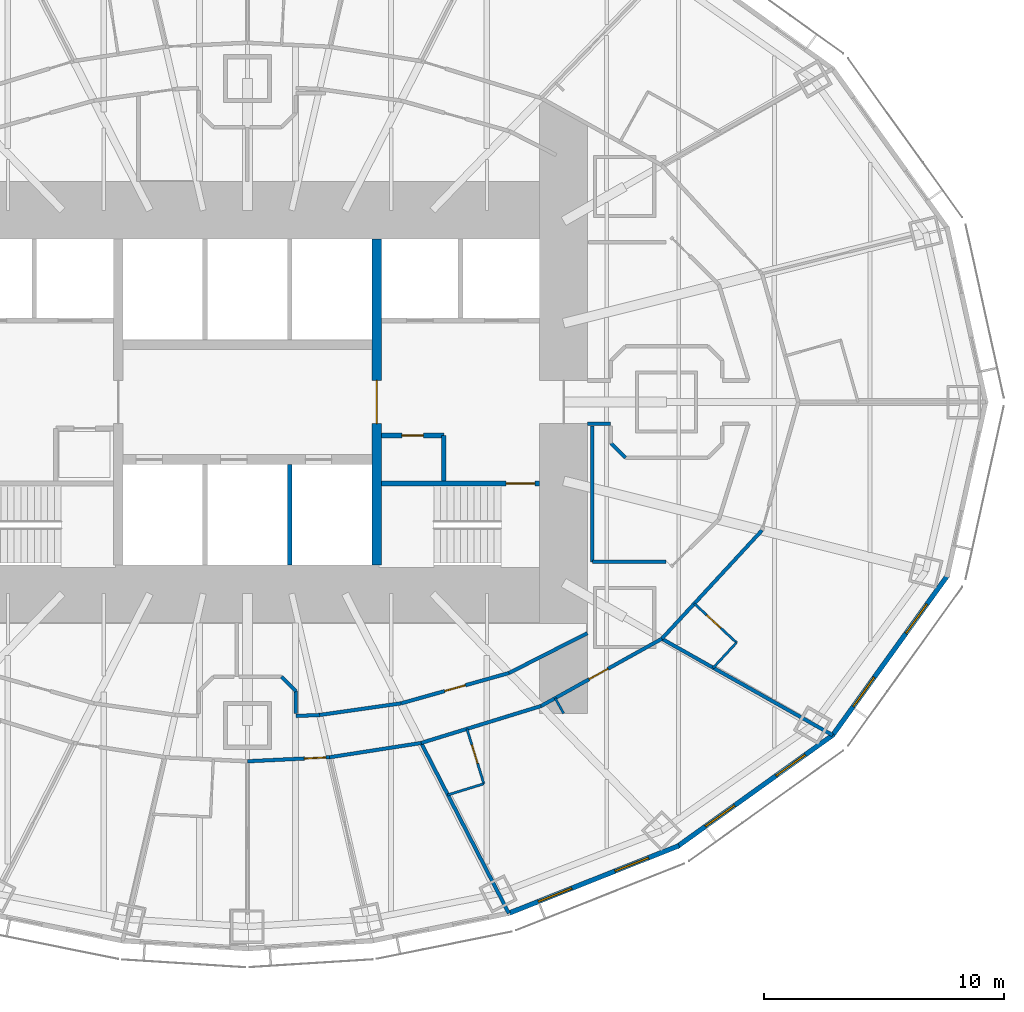
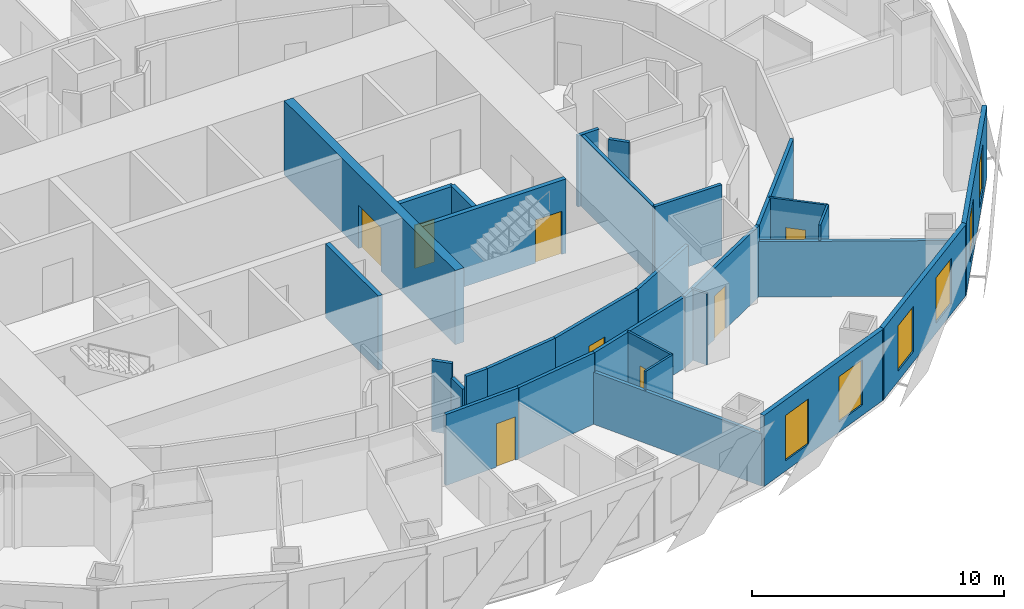
# One storey, part 7 of 15: 30 walls, 8 doors, 6 windows, 14 openings.
"""IFC4 building model written with IfcOpenShell, lengths in metres."""

import ifcopenshell
import ifcopenshell.guid

model = None  # the IFC model being written
_history = None  # IfcOwnerHistory: only IFC2X3 demands one
_inside = {}  # id of a spatial element -> (the spatial element, [elements in it])
_under = {}  # id of a project, library or spatial element -> (it, [spatial elements below it])
_declared = {}  # id of a project -> (the project, [libraries it declares])
_typed = {}  # id of a type object -> (the type object, [elements of that type])
_made_of = {}  # id of a material, layer set ... -> (it, [elements and type objects made of it])


def new_model(schema):
    """Start an empty IFC model of exactly this schema.

    Asked for "IFC4X3", IfcOpenShell would pick the latest addendum, in which some entities
    have other attributes; the version numbers below select the first issue.
    IFC2X3 requires an IfcOwnerHistory on every rooted entity: one is made here for all.
    """
    global model, _history
    if schema == "IFC4X3":
        model = ifcopenshell.file(schema_version=(4, 3, 0, 0))
    else:
        model = ifcopenshell.file(schema=schema)
    _inside.clear()
    _under.clear()
    _declared.clear()
    _typed.clear()
    _made_of.clear()
    _history = None
    if model.schema == "IFC2X3":
        org = make("IfcOrganization", Name="unknown")
        user = make(
            "IfcPersonAndOrganization",
            ThePerson=make("IfcPerson", FamilyName="unknown"),
            TheOrganization=org,
        )
        app = make(
            "IfcApplication",
            ApplicationDeveloper=org,
            Version="unknown",
            ApplicationFullName="unknown",
            ApplicationIdentifier="unknown",
        )
        _history = make(
            "IfcOwnerHistory",
            OwningUser=user,
            OwningApplication=app,
            ChangeAction="ADDED",
            CreationDate=0,
        )
    return model


def make(cls, **values):
    """One entity of the class cls with the attributes given. An attribute that is None is left unset."""
    return model.create_entity(
        cls, **{name: value for name, value in values.items() if value is not None}
    )


def rooted(cls, **values):
    """An entity with a GlobalId (a new one), such as an element, a storey or a relation."""
    return make(cls, GlobalId=ifcopenshell.guid.new(), OwnerHistory=_history, **values)


def si_unit(unit_type, name, prefix=None):
    """IfcSIUnit, for example si_unit("LENGTHUNIT", "METRE", prefix="MILLI")."""
    return make("IfcSIUnit", UnitType=unit_type, Prefix=prefix, Name=name)


def assignment(units):
    """IfcUnitAssignment: the units of a project."""
    return None if units is None else make("IfcUnitAssignment", Units=units)


def point(xyz):
    """IfcCartesianPoint."""
    return None if xyz is None else make("IfcCartesianPoint", Coordinates=xyz)


def direction(xyz):
    """IfcDirection."""
    return None if xyz is None else make("IfcDirection", DirectionRatios=xyz)


def frame(location, z_axis=None, x_axis=None):
    """IfcAxis2Placement3D, a coordinate frame: its origin and axes. An axis left out is left unset."""
    return make(
        "IfcAxis2Placement3D",
        Location=point(location),
        Axis=direction(z_axis),
        RefDirection=direction(x_axis),
    )


def frame_2d(location, x_axis=None):
    """IfcAxis2Placement2D, a coordinate frame in the plane: its origin and x axis."""
    return make(
        "IfcAxis2Placement2D", Location=point(location), RefDirection=direction(x_axis)
    )


def origin():
    """The frame at (0, 0, 0) with its axes left unset."""
    return frame((0.0, 0.0, 0.0))


def place(relative_to, where):
    """IfcLocalPlacement: puts the frame where relative to a parent placement (None: the world)."""
    return make(
        "IfcLocalPlacement", PlacementRelTo=relative_to, RelativePlacement=where
    )


def context(
    kind, dimensions, precision=None, world=None, true_north=None, identifier=None
):
    """IfcGeometricRepresentationContext, for example the 3D "Model" context."""
    return make(
        "IfcGeometricRepresentationContext",
        ContextIdentifier=identifier,
        ContextType=kind,
        CoordinateSpaceDimension=dimensions,
        Precision=precision,
        WorldCoordinateSystem=world,
        TrueNorth=true_north,
    )


def subcontext(parent, identifier, kind, view, scale=None):
    """IfcGeometricRepresentationSubContext, for example "Body" below "Model"."""
    return make(
        "IfcGeometricRepresentationSubContext",
        ContextIdentifier=identifier,
        ContextType=kind,
        ParentContext=parent,
        TargetScale=scale,
        TargetView=view,
    )


def project(units=None, contexts=None):
    """IfcProject with its units and contexts."""
    return rooted(
        "IfcProject",
        Name="project",
        RepresentationContexts=contexts,
        UnitsInContext=assignment(units),
    )


def spatial(cls, under=None, at=None, **own):
    """A site, building, storey or space (cls), placed at a placement, below another one or the project."""
    s = rooted(cls, ObjectPlacement=at, **own)
    if under is not None:
        _under.setdefault(under.id(), (under, []))[1].append(s)
    return s


def profile(cls, at=None, kind="AREA", **sizes):
    """A parametric profile (cls). Its sizes go by their IFC names, for example OverallWidth=200.0."""
    return make(cls, ProfileType=kind, Position=at, **sizes)


def rectangle(**sizes):
    """IfcRectangleProfileDef."""
    return profile("IfcRectangleProfileDef", **sizes)


def extrude(swept, where, along, depth):
    """IfcExtrudedAreaSolid: the profile swept, set in the frame where, extruded along a direction by depth."""
    return make(
        "IfcExtrudedAreaSolid",
        SweptArea=swept,
        Position=where,
        ExtrudedDirection=direction(along),
        Depth=depth,
    )


def shape(context_of_items, identifier, shape_type, items):
    """IfcShapeRepresentation: the items that make up one representation, for example the "Body"."""
    return make(
        "IfcShapeRepresentation",
        ContextOfItems=context_of_items,
        RepresentationIdentifier=identifier,
        RepresentationType=shape_type,
        Items=items,
    )


def material(Name=None, Category=None):
    """IfcMaterial."""
    return make("IfcMaterial", Name=Name, Category=Category)


def layer(
    of_material, thickness, ventilated=None, Name=None, Category=None, Priority=None
):
    """IfcMaterialLayer: one layer of a wall or slab, of a material (None: an air gap)."""
    return make(
        "IfcMaterialLayer",
        Material=of_material,
        LayerThickness=thickness,
        IsVentilated=ventilated,
        Name=Name,
        Category=Category,
        Priority=Priority,
    )


def layer_set(layers, Name=None):
    """IfcMaterialLayerSet."""
    return make("IfcMaterialLayerSet", MaterialLayers=layers, LayerSetName=Name)


def made_of(thing, what):
    """Note that an element or type object is made of a material, layer set ...; save() writes the relation."""
    if what is not None:
        _made_of.setdefault(what.id(), (what, []))[1].append(thing)
    return thing


def type_object(cls, material=None, **own):
    """A type object (cls), such as IfcWallType, which elements share."""
    return made_of(rooted(cls, **own), material)


def element(
    cls,
    number,
    at=None,
    inside=None,
    cuts=None,
    type_object=None,
    material=None,
    context=None,
    identifier="Body",
    shape_type=None,
    held_by="IfcProductDefinitionShape",
    body=None,
    shapes=None,
    **own,
):
    """One element of the class cls, such as IfcWall. Its Tag is "e" and its number.

    at: its placement. inside: the storey or other place that contains it. cuts: it is an
    opening in that element (IfcRelVoidsElement). A single representation is given by context,
    identifier, shape_type and body (its items); several are given by shapes. held_by: the class
    of the entity that holds the representations. save() writes the other relations.
    """
    e = rooted(cls, Tag="e%d" % number, ObjectPlacement=at, **own)
    if body is not None:
        shapes = [shape(context, identifier, shape_type, body)]
    if shapes is not None:
        e.Representation = make(held_by, Representations=shapes)
    if inside is not None:
        _inside.setdefault(inside.id(), (inside, []))[1].append(e)
    if cuts is not None:
        rooted(
            "IfcRelVoidsElement", RelatingBuildingElement=cuts, RelatedOpeningElement=e
        )
    if type_object is not None:
        _typed.setdefault(type_object.id(), (type_object, []))[1].append(e)
    return made_of(e, material)


def fill(opening, filler):
    """IfcRelFillsElement: the door or window that sits in an opening."""
    return rooted(
        "IfcRelFillsElement",
        RelatingOpeningElement=opening,
        RelatedBuildingElement=filler,
    )


def aggregate(whole, parts):
    """IfcRelAggregates: a whole, such as a stair, and the parts it consists of."""
    return rooted("IfcRelAggregates", RelatingObject=whole, RelatedObjects=parts)


def save(model, path):
    """Write the relations noted so far, then the file.

    IfcRelAggregates (storeys below a building ...), IfcRelContainedInSpatialStructure (elements
    in a storey), IfcRelDefinesByType, IfcRelAssociatesMaterial and IfcRelDeclares: one each for
    every whole, place, type object, material and project.
    """
    for whole, parts in _under.values():
        aggregate(whole, parts)
    for where, things in _inside.values():
        rooted(
            "IfcRelContainedInSpatialStructure",
            RelatedElements=things,
            RelatingStructure=where,
        )
    for kind, things in _typed.values():
        rooted("IfcRelDefinesByType", RelatedObjects=things, RelatingType=kind)
    for what, things in _made_of.values():
        rooted("IfcRelAssociatesMaterial", RelatedObjects=things, RelatingMaterial=what)
    for by, libraries in _declared.values():
        rooted("IfcRelDeclares", RelatingContext=by, RelatedDefinitions=libraries)
    model.write(path)


model = new_model("IFC4")

# Units and contexts
model_context = context("Model", 3, precision=1e-05, world=origin(), true_north=direction((0.0, 1.0)))
body_context = subcontext(model_context, "Body", "Model", "MODEL_VIEW")
ifc_project = project(units=[si_unit("LENGTHUNIT", "METRE"), si_unit("AREAUNIT", "SQUARE_METRE"), si_unit("VOLUMEUNIT", "CUBIC_METRE"), si_unit("PLANEANGLEUNIT", "RADIAN"), si_unit("MASSUNIT", "GRAM", prefix="KILO")], contexts=[model_context])

# Site, building, storey
site_placement = place(None, origin())
site = spatial("IfcSite", under=ifc_project, at=site_placement, CompositionType="ELEMENT")
building_placement = place(site_placement, origin())
building = spatial("IfcBuilding", under=site, at=building_placement, Name="Lantaw Convention Tower", CompositionType="ELEMENT")
storey_placement = place(building_placement, frame((0.0, 0.0, 94.60009765625)))
storey = spatial("IfcBuildingStorey", under=building, at=storey_placement, Name="L22", CompositionType="ELEMENT", Elevation=94.60009765625)

# Walls
ifc_material_1 = material(Name="Gypsum board on steel studs", Category="steel")
ifc_layer_1 = layer(ifc_material_1, 0.14990234375)
ifc_layer_set_1 = layer_set([ifc_layer_1], Name="Back of house wall 150")
wall_type_1 = type_object("IfcWallType", Name="Back of house wall 150", PredefinedType="PARTITIONING", material=ifc_layer_set_1)
wall_1_placement = place(storey_placement, frame((1.424560546875, -11.47509765625, 0.0), z_axis=(0.0, 0.0, 1.0), x_axis=(0.707106781187, -0.707106781187, 0.0)))
element("IfcWall", 1, at=wall_1_placement, inside=storey, type_object=wall_type_1, Name="Back of house wall 150", PredefinedType="PARTITIONING", context=body_context, shape_type="SweptSolid", body=[
    extrude(rectangle(XDim=0.84912109375, YDim=0.14990234375, at=frame_2d((0.424560546875, 0.0))), origin(), (0.0, 0.0, 1.0), 3.449951171875),
])
wall_2_placement = place(storey_placement, frame((2.02490234375, -12.075439453125, 0.0), z_axis=(0.0, 0.0, 1.0), x_axis=(0.0, -1.0, 0.0)))
element("IfcWall", 2, at=wall_2_placement, inside=storey, type_object=wall_type_1, Name="Back of house wall 150", PredefinedType="PARTITIONING", context=body_context, shape_type="SweptSolid", body=[
    extrude(rectangle(XDim=0.9296875, YDim=0.14990234375, at=frame_2d((0.46484375, 0.0))), origin(), (0.0, 0.0, 1.0), 2.748779296875),
])
wall_3_placement = place(storey_placement, frame((14.39990234375, -1.0048828125, 0.0), z_axis=(0.0, 0.0, 1.0), x_axis=(0.0, -1.0, 0.0)))
element("IfcWall", 3, at=wall_3_placement, inside=storey, type_object=wall_type_1, Name="Back of house wall 150", PredefinedType="PARTITIONING", context=body_context, shape_type="SweptSolid", body=[
    extrude(rectangle(XDim=5.670166015625, YDim=0.14990234375, at=frame_2d((2.8349609375, 0.0))), origin(), (0.0, 0.0, 1.0), 3.449951171875),
])
wall_4_placement = place(storey_placement, frame((14.39990234375, -6.675048828125, 0.0), z_axis=(0.0, 0.0, 1.0), x_axis=(1.0, 0.0, 0.0)))
element("IfcWall", 4, at=wall_4_placement, inside=storey, type_object=wall_type_1, Name="Back of house wall 150", PredefinedType="PARTITIONING", context=body_context, shape_type="SweptSolid", body=[
    extrude(rectangle(XDim=3.07470703125, YDim=0.14990234375, at=frame_2d((1.537353515625, 0.0))), origin(), (0.0, 0.0, 1.0), 3.449951171875),
])

# Wall, opening, door
ifc_material_2 = material(Name="Moisture resistant gypsum board on steel studs", Category="steel")
ifc_layer_2 = layer(ifc_material_2, 0.10009765625)
ifc_layer_set_2 = layer_set([ifc_layer_2], Name="Bathroom wall 100")
wall_type_2 = type_object("IfcWallType", Name="Bathroom wall 100", PredefinedType="PARTITIONING", material=ifc_layer_set_2)
wall_5_placement = place(storey_placement, frame((9.164306640625, -13.645751953125, 0.0), z_axis=(0.0, 0.0, 1.0), x_axis=(0.294507586191, -0.955649141514, 0.0)))
wall_5 = element("IfcWall", 5, at=wall_5_placement, inside=storey, type_object=wall_type_2, Name="Bathroom wall 100", PredefinedType="PARTITIONING", context=body_context, shape_type="SweptSolid", body=[
    extrude(rectangle(XDim=2.39990234375, YDim=0.10009765625, at=frame_2d((1.199951171875, 0.0))), origin(), (0.0, 0.0, 1.0), 3.449951171875),
])
opening_1_placement = place(wall_5_placement, frame((0.699951171875, 0.0, 0.0)))
opening_1 = element("IfcOpeningElement", 6, at=opening_1_placement, cuts=wall_5, Name="Opening L22.53", PredefinedType="OPENING", context=body_context, shape_type="SweptSolid", body=[
    extrude(rectangle(XDim=0.800048828125, YDim=2.10009765625, at=frame_2d((0.39990234375, 1.050048828125))), frame((0.0, 0.06005859375, 0.0), z_axis=(0.0, -1.0, 0.0), x_axis=(1.0, 0.0, 0.0)), (0.0, 0.0, 1.0), 0.1201171875),
])
ifc_material_3 = material(Name="Timber", Category="wood")
door_type_1 = type_object("IfcDoorType", Name="Bathroom door 800", OperationType="SINGLE_SWING_LEFT", PredefinedType="DOOR", material=ifc_material_3)
door_1_placement = place(opening_1_placement, origin())
door_1 = element("IfcDoor", 7, at=door_1_placement, inside=storey, type_object=door_type_1, Name="Bathroom door", OperationType="SINGLE_SWING_LEFT", OverallHeight=2.10009765625, OverallWidth=0.800048828125, PredefinedType="DOOR", context=body_context, shape_type="SweptSolid", body=[
    extrude(rectangle(XDim=0.800048828125, YDim=2.10009765625, at=frame_2d((0.39990234375, 1.050048828125))), frame((0.0, 0.02490234375, 0.0), z_axis=(0.0, -1.0, 0.0), x_axis=(1.0, 0.0, 0.0)), (0.0, 0.0, 1.0), 0.050048828125),
])
fill(opening_1, door_1)

# Wall
wall_6_placement = place(storey_placement, frame((9.87109375, -15.939208984375, 0.0), z_axis=(0.0, 0.0, 1.0), x_axis=(-0.955642133669, -0.29453032502, 0.0)))
element("IfcWall", 8, at=wall_6_placement, inside=storey, type_object=wall_type_2, Name="Bathroom wall 100", PredefinedType="PARTITIONING", context=body_context, shape_type="SweptSolid", body=[
    extrude(rectangle(XDim=1.58251953125, YDim=0.10009765625, at=frame_2d((0.791259765625, 0.0))), origin(), (0.0, 0.0, 1.0), 3.449951171875),
])

# Wall, opening, door
wall_7_placement = place(storey_placement, frame((18.65625, -8.416259765625, 0.0), z_axis=(0.0, 0.0, 1.0), x_axis=(0.73447964986, -0.678630712495, 0.0)))
wall_7 = element("IfcWall", 9, at=wall_7_placement, inside=storey, type_object=wall_type_2, Name="Bathroom wall 100", PredefinedType="PARTITIONING", context=body_context, shape_type="SweptSolid", body=[
    extrude(rectangle(XDim=2.39990234375, YDim=0.10009765625, at=frame_2d((1.199951171875, 0.0))), origin(), (0.0, 0.0, 1.0), 3.449951171875),
])
opening_2_placement = place(wall_7_placement, frame((0.699951171875, 0.0, 0.0)))
opening_2 = element("IfcOpeningElement", 10, at=opening_2_placement, cuts=wall_7, Name="Opening L22.55", PredefinedType="OPENING", context=body_context, shape_type="SweptSolid", body=[
    extrude(rectangle(XDim=0.800048828125, YDim=2.10009765625, at=frame_2d((0.39990234375, 1.050048828125))), frame((0.0, 0.06005859375, 0.0), z_axis=(0.0, -1.0, 0.0), x_axis=(1.0, 0.0, 0.0)), (0.0, 0.0, 1.0), 0.1201171875),
])
door_2_placement = place(opening_2_placement, origin())
door_2 = element("IfcDoor", 11, at=door_2_placement, inside=storey, type_object=door_type_1, Name="Bathroom door", OperationType="SINGLE_SWING_LEFT", OverallHeight=2.10009765625, OverallWidth=0.800048828125, PredefinedType="DOOR", context=body_context, shape_type="SweptSolid", body=[
    extrude(rectangle(XDim=0.800048828125, YDim=2.10009765625, at=frame_2d((0.39990234375, 1.050048828125))), frame((0.0, 0.02490234375, 0.0), z_axis=(0.0, -1.0, 0.0), x_axis=(1.0, 0.0, 0.0)), (0.0, 0.0, 1.0), 0.050048828125),
])
fill(opening_2, door_2)

# Wall
wall_8_placement = place(storey_placement, frame((20.4189453125, -10.044921875, 0.0), z_axis=(0.0, 0.0, 1.0), x_axis=(-0.67861657312, -0.734492713842, 0.0)))
element("IfcWall", 12, at=wall_8_placement, inside=storey, type_object=wall_type_2, Name="Bathroom wall 100", PredefinedType="PARTITIONING", context=body_context, shape_type="SweptSolid", body=[
    extrude(rectangle(XDim=1.4462890625, YDim=0.10009765625, at=frame_2d((0.72314453125, 0.0))), origin(), (0.0, 0.0, 1.0), 3.449951171875),
])

# Wall, opening, door
ifc_material_4 = material(Name="Concrete C60/75", Category="concrete")
ifc_layer_3 = layer(ifc_material_4, 0.199951171875)
ifc_layer_set_3 = layer_set([ifc_layer_3], Name="Core wall 200")
wall_type_3 = type_object("IfcWallType", Name="Core wall 200", PredefinedType="SHEAR", material=ifc_layer_set_3)
wall_9_placement = place(storey_placement, frame((5.60009765625, -3.39990234375, 0.0), z_axis=(0.0, 0.0, 1.0), x_axis=(1.0, 0.0, 0.0)))
wall_9 = element("IfcWall", 13, at=wall_9_placement, inside=storey, type_object=wall_type_3, Name="Core wall ES", PredefinedType="SHEAR", context=body_context, shape_type="SweptSolid", body=[
    extrude(rectangle(XDim=6.599853515625, YDim=0.199951171875, at=frame_2d((3.2998046875, 0.0))), origin(), (0.0, 0.0, 1.0), 3.599853515625),
])
opening_3_placement = place(wall_9_placement, frame((5.199951171875, 0.0, 0.0)))
opening_3 = element("IfcOpeningElement", 14, at=opening_3_placement, cuts=wall_9, Name="Opening L22.05", PredefinedType="OPENING", context=body_context, shape_type="SweptSolid", body=[
    extrude(rectangle(XDim=1.199951171875, YDim=2.10009765625, at=frame_2d((0.60009765625, 1.050048828125))), frame((0.0, 0.10986328125, 0.0), z_axis=(0.0, -1.0, 0.0), x_axis=(1.0, 0.0, 0.0)), (0.0, 0.0, 1.0), 0.219970703125),
])
ifc_material_5 = material(Name="Steel, fire rated", Category="steel")
door_type_2 = type_object("IfcDoorType", Name="Stair door FD90", OperationType="SINGLE_SWING_RIGHT", PredefinedType="DOOR", material=ifc_material_5)
door_3_placement = place(opening_3_placement, origin())
door_3 = element("IfcDoor", 15, at=door_3_placement, inside=storey, type_object=door_type_2, Name="Exit stair door", OperationType="SINGLE_SWING_RIGHT", OverallHeight=2.10009765625, OverallWidth=1.199951171875, PredefinedType="DOOR", context=body_context, shape_type="SweptSolid", body=[
    extrude(rectangle(XDim=1.199951171875, YDim=2.10009765625, at=frame_2d((0.60009765625, 1.050048828125))), frame((0.0, 0.02490234375, 0.0), z_axis=(0.0, -1.0, 0.0), x_axis=(1.0, 0.0, 0.0)), (0.0, 0.0, 1.0), 0.050048828125),
])
fill(opening_3, door_3)

ifc_layer_4 = layer(ifc_material_4, 0.39990234375)
ifc_layer_set_4 = layer_set([ifc_layer_4], Name="Core wall 400")
wall_type_4 = type_object("IfcWallType", Name="Core wall 400", PredefinedType="SHEAR", material=ifc_layer_set_4)
wall_10_placement = place(storey_placement, frame((5.39990234375, -6.800048828125, 0.0), z_axis=(0.0, 0.0, 1.0), x_axis=(0.0, 1.0, 0.0)))
wall_10 = element("IfcWall", 16, at=wall_10_placement, inside=storey, type_object=wall_type_4, Name="Core wall XE", PredefinedType="SHEAR", context=body_context, shape_type="SweptSolid", body=[
    extrude(rectangle(XDim=13.60009765625, YDim=0.39990234375, at=frame_2d((6.800048828125, 0.0))), origin(), (0.0, 0.0, 1.0), 3.599853515625),
])
opening_4_placement = place(wall_10_placement, frame((5.89990234375, 0.0, 0.0)))
opening_4 = element("IfcOpeningElement", 17, at=opening_4_placement, cuts=wall_10, Name="Opening L22.03", PredefinedType="OPENING", context=body_context, shape_type="SweptSolid", body=[
    extrude(rectangle(XDim=1.800048828125, YDim=2.10009765625, at=frame_2d((0.89990234375, 1.050048828125))), frame((0.0, 0.2099609375, 0.0), z_axis=(0.0, -1.0, 0.0), x_axis=(1.0, 0.0, 0.0)), (0.0, 0.0, 1.0), 0.419921875),
])
door_type_3 = type_object("IfcDoorType", Name="Lobby double door FD90", OperationType="DOUBLE_DOOR_DOUBLE_SWING", PredefinedType="DOOR", material=ifc_material_5)
door_4_placement = place(opening_4_placement, origin())
door_4 = element("IfcDoor", 18, at=door_4_placement, inside=storey, type_object=door_type_3, Name="Lift lobby door", OperationType="DOUBLE_DOOR_DOUBLE_SWING", OverallHeight=2.10009765625, OverallWidth=1.800048828125, PredefinedType="DOOR", context=body_context, shape_type="SweptSolid", body=[
    extrude(rectangle(XDim=1.800048828125, YDim=2.10009765625, at=frame_2d((0.89990234375, 1.050048828125))), frame((0.0, 0.02490234375, 0.0), z_axis=(0.0, -1.0, 0.0), x_axis=(1.0, 0.0, 0.0)), (0.0, 0.0, 1.0), 0.050048828125),
])
fill(opening_4, door_4)

ifc_material_6 = material(Name="Gypsum board on steel studs, fire rated", Category="steel")
ifc_layer_5 = layer(ifc_material_6, 0.14990234375)
ifc_layer_set_5 = layer_set([ifc_layer_5], Name="Corridor wall 150 EI 60")
wall_type_5 = type_object("IfcWallType", Name="Corridor wall 150 EI 60", PredefinedType="PARTITIONING", material=ifc_layer_set_5)
wall_11_placement = place(storey_placement, frame((0.0, -15.0, 0.0), z_axis=(0.0, 0.0, 1.0), x_axis=(0.998809560203, 0.048779733975, 0.0)))
wall_11 = element("IfcWall", 19, at=wall_11_placement, inside=storey, type_object=wall_type_5, Name="Corridor wall 150", PredefinedType="PARTITIONING", context=body_context, shape_type="SweptSolid", body=[
    extrude(rectangle(XDim=3.428466796875, YDim=0.14990234375, at=frame_2d((1.71435546875, 0.0))), origin(), (0.0, 0.0, 1.0), 3.449951171875),
])
opening_5_placement = place(wall_11_placement, frame((2.37841796875, 0.0, 0.0)))
opening_5 = element("IfcOpeningElement", 20, at=opening_5_placement, cuts=wall_11, Name="Opening L22.52", PredefinedType="OPENING", context=body_context, shape_type="SweptSolid", body=[
    extrude(rectangle(XDim=0.89990234375, YDim=2.10009765625, at=frame_2d((0.449951171875, 1.050048828125))), frame((0.0, 0.0849609375, 0.0), z_axis=(0.0, -1.0, 0.0), x_axis=(1.0, 0.0, 0.0)), (0.0, 0.0, 1.0), 0.169921875),
])
door_type_4 = type_object("IfcDoorType", Name="Guest room entrance door FD30S", OperationType="SINGLE_SWING_LEFT", PredefinedType="DOOR", material=ifc_material_5)
door_5_placement = place(opening_5_placement, origin())
door_5 = element("IfcDoor", 21, at=door_5_placement, inside=storey, type_object=door_type_4, Name="Suite entrance door", OperationType="SINGLE_SWING_LEFT", OverallHeight=2.10009765625, OverallWidth=0.89990234375, PredefinedType="DOOR", context=body_context, shape_type="SweptSolid", body=[
    extrude(rectangle(XDim=0.89990234375, YDim=2.10009765625, at=frame_2d((0.449951171875, 1.050048828125))), frame((0.0, 0.02490234375, 0.0), z_axis=(0.0, -1.0, 0.0), x_axis=(1.0, 0.0, 0.0)), (0.0, 0.0, 1.0), 0.050048828125),
])
fill(opening_5, door_5)

# Walls
wall_12_placement = place(storey_placement, frame((3.42431640625, -14.832763671875, 0.0), z_axis=(0.0, 0.0, 1.0), x_axis=(0.988015036573, 0.154357660987, 0.0)))
element("IfcWall", 22, at=wall_12_placement, inside=storey, type_object=wall_type_5, Name="Corridor wall 150", PredefinedType="PARTITIONING", context=body_context, shape_type="SweptSolid", body=[
    extrude(rectangle(XDim=3.875, YDim=0.14990234375, at=frame_2d((1.9375, 0.0))), origin(), (0.0, 0.0, 1.0), 3.449951171875),
])
wall_13_placement = place(storey_placement, frame((7.2529296875, -14.234619140625, 0.0), z_axis=(0.0, 0.0, 1.0), x_axis=(0.955657956744, 0.294478980085, 0.0)))
element("IfcWall", 23, at=wall_13_placement, inside=storey, type_object=wall_type_5, Name="Corridor wall 150", PredefinedType="PARTITIONING", context=body_context, shape_type="SweptSolid", body=[
    extrude(rectangle(XDim=5.236328125, YDim=0.14990234375, at=frame_2d((2.6181640625, 0.0))), origin(), (0.0, 0.0, 1.0), 3.449951171875),
])

# Wall, opening, door
wall_14_placement = place(storey_placement, frame((12.257080078125, -12.692626953125, 0.0), z_axis=(0.0, 0.0, 1.0), x_axis=(0.873695910579, 0.486472461541, 0.0)))
wall_14 = element("IfcWall", 24, at=wall_14_placement, inside=storey, type_object=wall_type_5, Name="Corridor wall 150", PredefinedType="PARTITIONING", context=body_context, shape_type="SweptSolid", body=[
    extrude(rectangle(XDim=5.77099609375, YDim=0.14990234375, at=frame_2d((2.885498046875, 0.0))), origin(), (0.0, 0.0, 1.0), 3.449951171875),
])
opening_6_placement = place(wall_14_placement, frame((2.301025390625, 0.0, 0.0)))
opening_6 = element("IfcOpeningElement", 25, at=opening_6_placement, cuts=wall_14, Name="Opening L22.54", PredefinedType="OPENING", context=body_context, shape_type="SweptSolid", body=[
    extrude(rectangle(XDim=0.89990234375, YDim=2.10009765625, at=frame_2d((0.449951171875, 1.050048828125))), frame((0.0, 0.0849609375, 0.0), z_axis=(0.0, -1.0, 0.0), x_axis=(1.0, 0.0, 0.0)), (0.0, 0.0, 1.0), 0.169921875),
])
door_6_placement = place(opening_6_placement, origin())
door_6 = element("IfcDoor", 26, at=door_6_placement, inside=storey, type_object=door_type_4, Name="Junior suite entrance door", OperationType="SINGLE_SWING_LEFT", OverallHeight=2.10009765625, OverallWidth=0.89990234375, PredefinedType="DOOR", context=body_context, shape_type="SweptSolid", body=[
    extrude(rectangle(XDim=0.89990234375, YDim=2.10009765625, at=frame_2d((0.449951171875, 1.050048828125))), frame((0.0, 0.02490234375, 0.0), z_axis=(0.0, -1.0, 0.0), x_axis=(1.0, 0.0, 0.0)), (0.0, 0.0, 1.0), 0.050048828125),
])
fill(opening_6, door_6)

# Walls
wall_15_placement = place(storey_placement, frame((17.299072265625, -9.88525390625, 0.0), z_axis=(0.0, 0.0, 1.0), x_axis=(0.678641806296, 0.734469399463, 0.0)))
element("IfcWall", 27, at=wall_15_placement, inside=storey, type_object=wall_type_5, Name="Corridor wall 150", PredefinedType="PARTITIONING", context=body_context, shape_type="SweptSolid", body=[
    extrude(rectangle(XDim=6.166015625, YDim=0.14990234375, at=frame_2d((3.0830078125, 0.0))), origin(), (0.0, 0.0, 1.0), 3.449951171875),
])
wall_16_placement = place(storey_placement, frame((3.016357421875, -13.065673828125, 0.0), z_axis=(0.0, 0.0, 1.0), x_axis=(0.990002114939, 0.14105251652, 0.0)))
element("IfcWall", 28, at=wall_16_placement, inside=storey, type_object=wall_type_5, Name="Corridor wall 150", PredefinedType="PARTITIONING", context=body_context, shape_type="SweptSolid", body=[
    extrude(rectangle(XDim=3.4287109375, YDim=0.14990234375, at=frame_2d((1.71435546875, 0.0))), origin(), (0.0, 0.0, 1.0), 3.449951171875),
])

# Wall, opening, door
wall_17_placement = place(storey_placement, frame((6.410888671875, -12.58203125, 0.0), z_axis=(0.0, 0.0, 1.0), x_axis=(0.962643729928, 0.270771211967, 0.0)))
wall_17 = element("IfcWall", 29, at=wall_17_placement, inside=storey, type_object=wall_type_5, Name="Corridor wall 150", PredefinedType="PARTITIONING", context=body_context, shape_type="SweptSolid", body=[
    extrude(rectangle(XDim=4.6884765625, YDim=0.14990234375, at=frame_2d((2.34423828125, 0.0))), origin(), (0.0, 0.0, 1.0), 3.449951171875),
])
opening_7_placement = place(wall_17_placement, frame((1.894287109375, 0.0, 0.0)))
opening_7 = element("IfcOpeningElement", 30, at=opening_7_placement, cuts=wall_17, Name="Opening L22.23", PredefinedType="OPENING", context=body_context, shape_type="SweptSolid", body=[
    extrude(rectangle(XDim=0.89990234375, YDim=2.10009765625, at=frame_2d((0.449951171875, 1.050048828125))), frame((0.0, 0.0849609375, 0.0), z_axis=(0.0, -1.0, 0.0), x_axis=(1.0, 0.0, 0.0)), (0.0, 0.0, 1.0), 0.169921875),
])
door_type_5 = type_object("IfcDoorType", Name="Service door 900 FD30", OperationType="SINGLE_SWING_LEFT", PredefinedType="DOOR", material=ifc_material_5)
door_7_placement = place(opening_7_placement, origin())
door_7 = element("IfcDoor", 31, at=door_7_placement, inside=storey, type_object=door_type_5, Name="Guest ice and vending room door", OperationType="SINGLE_SWING_LEFT", OverallHeight=2.10009765625, OverallWidth=0.89990234375, PredefinedType="DOOR", context=body_context, shape_type="SweptSolid", body=[
    extrude(rectangle(XDim=0.89990234375, YDim=2.10009765625, at=frame_2d((0.449951171875, 1.050048828125))), frame((0.0, 0.02490234375, 0.0), z_axis=(0.0, -1.0, 0.0), x_axis=(1.0, 0.0, 0.0)), (0.0, 0.0, 1.0), 0.050048828125),
])
fill(opening_7, door_7)

# Walls
wall_18_placement = place(storey_placement, frame((2.034912109375, -13.109375, 0.0), z_axis=(0.0, 0.0, 1.0), x_axis=(0.999010128674, 0.044483286824, 0.0)))
element("IfcWall", 32, at=wall_18_placement, inside=storey, type_object=wall_type_5, Name="Corridor wall 150", PredefinedType="PARTITIONING", context=body_context, shape_type="SweptSolid", body=[
    extrude(rectangle(XDim=0.982421875, YDim=0.14990234375, at=frame_2d((0.4912109375, 0.0))), origin(), (0.0, 0.0, 1.0), 3.449951171875),
])
wall_19_placement = place(storey_placement, frame((10.92431640625, -11.3125, 0.0), z_axis=(0.0, 0.0, 1.0), x_axis=(0.891394713219, 0.453227829292, 0.0)))
element("IfcWall", 33, at=wall_19_placement, inside=storey, type_object=wall_type_5, Name="Corridor wall 150", PredefinedType="PARTITIONING", context=body_context, shape_type="SweptSolid", body=[
    extrude(rectangle(XDim=3.66357421875, YDim=0.14990234375, at=frame_2d((1.831787109375, 0.0))), origin(), (0.0, 0.0, 1.0), 3.449951171875),
])
wall_20_placement = place(storey_placement, frame((14.199951171875, -0.89990234375, 0.0), z_axis=(0.0, 0.0, 1.0), x_axis=(1.0, 0.0, 0.0)))
element("IfcWall", 34, at=wall_20_placement, inside=storey, type_object=wall_type_5, Name="Corridor wall 150", PredefinedType="PARTITIONING", context=body_context, shape_type="SweptSolid", body=[
    extrude(rectangle(XDim=0.965087890625, YDim=0.14990234375, at=frame_2d((0.482421875, 0.0))), origin(), (0.0, 0.0, 1.0), 3.449951171875),
])
wall_21_placement = place(storey_placement, frame((15.775390625, -2.324951171875, 0.0), z_axis=(0.0, 0.0, 1.0), x_axis=(-0.707106781187, 0.707106781187, 0.0)))
element("IfcWall", 35, at=wall_21_placement, inside=storey, type_object=wall_type_5, Name="Corridor wall 150", PredefinedType="PARTITIONING", context=body_context, shape_type="SweptSolid", body=[
    extrude(rectangle(XDim=0.84912109375, YDim=0.14990234375, at=frame_2d((0.424560546875, 0.0))), origin(), (0.0, 0.0, 1.0), 3.449951171875),
])

# Wall, openings, windows
ifc_material_7 = material(Name="Insulated aluminium panel on steel frame", Category="steel")
ifc_layer_6 = layer(ifc_material_7, 0.199951171875)
ifc_layer_set_6 = layer_set([ifc_layer_6], Name="External wall 200")
wall_type_6 = type_object("IfcWallType", Name="External wall 200", PredefinedType="SOLIDWALL", material=ifc_layer_set_6)
wall_22_placement = place(storey_placement, frame((10.869384765625, -21.362548828125, 0.0), z_axis=(0.0, 0.0, 1.0), x_axis=(0.929358351251, 0.369178892895, 0.0)))
wall_22 = element("IfcWall", 36, at=wall_22_placement, inside=storey, type_object=wall_type_6, Name="Facade panel wall", PredefinedType="SOLIDWALL", context=body_context, shape_type="SweptSolid", body=[
    extrude(rectangle(XDim=7.6923828125, YDim=0.199951171875, at=frame_2d((3.84619140625, 0.0))), origin(), (0.0, 0.0, 1.0), 3.449951171875),
])
opening_8_placement = place(wall_22_placement, frame((1.373046875, 0.0, 0.5)))
opening_8 = element("IfcOpeningElement", 37, at=opening_8_placement, cuts=wall_22, Name="Opening W2", PredefinedType="OPENING", context=body_context, shape_type="SweptSolid", body=[
    extrude(rectangle(XDim=1.5, YDim=2.199951171875, at=frame_2d((0.75, 1.10009765625))), frame((0.0, 0.10986328125, 0.0), z_axis=(0.0, -1.0, 0.0), x_axis=(1.0, 0.0, 0.0)), (0.0, 0.0, 1.0), 0.219970703125),
])
opening_9_placement = place(wall_22_placement, frame((4.819091796875, 0.0, 0.5)))
opening_9 = element("IfcOpeningElement", 38, at=opening_9_placement, cuts=wall_22, Name="Opening W2", PredefinedType="OPENING", context=body_context, shape_type="SweptSolid", body=[
    extrude(rectangle(XDim=1.5, YDim=2.199951171875, at=frame_2d((0.75, 1.10009765625))), frame((0.0, 0.10986328125, 0.0), z_axis=(0.0, -1.0, 0.0), x_axis=(1.0, 0.0, 0.0)), (0.0, 0.0, 1.0), 0.219970703125),
])
ifc_material_8 = material(Name="Aluminium frame, clear insulating glass", Category="aluminium")
window_type = type_object("IfcWindowType", Name="Suite window 1500x2200", PartitioningType="SINGLE_PANEL", PredefinedType="WINDOW", material=ifc_material_8)
window_1_placement = place(opening_8_placement, origin())
window_1 = element("IfcWindow", 39, at=window_1_placement, inside=storey, type_object=window_type, Name="Guest room window", OverallHeight=2.199951171875, OverallWidth=1.5, PartitioningType="SINGLE_PANEL", PredefinedType="WINDOW", context=body_context, shape_type="SweptSolid", body=[
    extrude(rectangle(XDim=1.5, YDim=2.199951171875, at=frame_2d((0.75, 1.10009765625))), frame((0.0, 0.030029296875, 0.0), z_axis=(0.0, -1.0, 0.0), x_axis=(1.0, 0.0, 0.0)), (0.0, 0.0, 1.0), 0.06005859375),
])
fill(opening_8, window_1)
window_2_placement = place(opening_9_placement, origin())
window_2 = element("IfcWindow", 40, at=window_2_placement, inside=storey, type_object=window_type, Name="Guest room window", OverallHeight=2.199951171875, OverallWidth=1.5, PartitioningType="SINGLE_PANEL", PredefinedType="WINDOW", context=body_context, shape_type="SweptSolid", body=[
    extrude(rectangle(XDim=1.5, YDim=2.199951171875, at=frame_2d((0.75, 1.10009765625))), frame((0.0, 0.030029296875, 0.0), z_axis=(0.0, -1.0, 0.0), x_axis=(1.0, 0.0, 0.0)), (0.0, 0.0, 1.0), 0.06005859375),
])
fill(opening_9, window_2)

wall_23_placement = place(storey_placement, frame((17.9287109375, -18.57177734375, 0.0), z_axis=(0.0, 0.0, 1.0), x_axis=(0.812791321576, 0.582554948112, 0.0)))
wall_23 = element("IfcWall", 41, at=wall_23_placement, inside=storey, type_object=wall_type_6, Name="Facade panel wall", PredefinedType="SOLIDWALL", context=body_context, shape_type="SweptSolid", body=[
    extrude(rectangle(XDim=8.063232421875, YDim=0.199951171875, at=frame_2d((4.03173828125, 0.0))), origin(), (0.0, 0.0, 1.0), 3.449951171875),
])
opening_10_placement = place(wall_23_placement, frame((1.4658203125, 0.0, 0.5)))
opening_10 = element("IfcOpeningElement", 42, at=opening_10_placement, cuts=wall_23, Name="Opening W2", PredefinedType="OPENING", context=body_context, shape_type="SweptSolid", body=[
    extrude(rectangle(XDim=1.5, YDim=2.199951171875, at=frame_2d((0.75, 1.10009765625))), frame((0.0, 0.10986328125, 0.0), z_axis=(0.0, -1.0, 0.0), x_axis=(1.0, 0.0, 0.0)), (0.0, 0.0, 1.0), 0.219970703125),
])
opening_11_placement = place(wall_23_placement, frame((5.097412109375, 0.0, 0.5)))
opening_11 = element("IfcOpeningElement", 43, at=opening_11_placement, cuts=wall_23, Name="Opening W2", PredefinedType="OPENING", context=body_context, shape_type="SweptSolid", body=[
    extrude(rectangle(XDim=1.5, YDim=2.199951171875, at=frame_2d((0.75, 1.10009765625))), frame((0.0, 0.10986328125, 0.0), z_axis=(0.0, -1.0, 0.0), x_axis=(1.0, 0.0, 0.0)), (0.0, 0.0, 1.0), 0.219970703125),
])
window_3_placement = place(opening_10_placement, origin())
window_3 = element("IfcWindow", 44, at=window_3_placement, inside=storey, type_object=window_type, Name="Guest room window", OverallHeight=2.199951171875, OverallWidth=1.5, PartitioningType="SINGLE_PANEL", PredefinedType="WINDOW", context=body_context, shape_type="SweptSolid", body=[
    extrude(rectangle(XDim=1.5, YDim=2.199951171875, at=frame_2d((0.75, 1.10009765625))), frame((0.0, 0.030029296875, 0.0), z_axis=(0.0, -1.0, 0.0), x_axis=(1.0, 0.0, 0.0)), (0.0, 0.0, 1.0), 0.06005859375),
])
fill(opening_10, window_3)
window_4_placement = place(opening_11_placement, origin())
window_4 = element("IfcWindow", 45, at=window_4_placement, inside=storey, type_object=window_type, Name="Guest room window", OverallHeight=2.199951171875, OverallWidth=1.5, PartitioningType="SINGLE_PANEL", PredefinedType="WINDOW", context=body_context, shape_type="SweptSolid", body=[
    extrude(rectangle(XDim=1.5, YDim=2.199951171875, at=frame_2d((0.75, 1.10009765625))), frame((0.0, 0.030029296875, 0.0), z_axis=(0.0, -1.0, 0.0), x_axis=(1.0, 0.0, 0.0)), (0.0, 0.0, 1.0), 0.06005859375),
])
fill(opening_11, window_4)

wall_24_placement = place(storey_placement, frame((24.400390625, -13.95654296875, 0.0), z_axis=(0.0, 0.0, 1.0), x_axis=(0.583937613703, 0.811798536155, 0.0)))
wall_24 = element("IfcWall", 46, at=wall_24_placement, inside=storey, type_object=wall_type_6, Name="Facade panel wall", PredefinedType="SOLIDWALL", context=body_context, shape_type="SweptSolid", body=[
    extrude(rectangle(XDim=8.322998046875, YDim=0.199951171875, at=frame_2d((4.16162109375, 0.0))), origin(), (0.0, 0.0, 1.0), 3.449951171875),
])
opening_12_placement = place(wall_24_placement, frame((1.53076171875, 0.0, 0.5)))
opening_12 = element("IfcOpeningElement", 47, at=opening_12_placement, cuts=wall_24, Name="Opening W2", PredefinedType="OPENING", context=body_context, shape_type="SweptSolid", body=[
    extrude(rectangle(XDim=1.5, YDim=2.199951171875, at=frame_2d((0.75, 1.10009765625))), frame((0.0, 0.10986328125, 0.0), z_axis=(0.0, -1.0, 0.0), x_axis=(1.0, 0.0, 0.0)), (0.0, 0.0, 1.0), 0.219970703125),
])
opening_13_placement = place(wall_24_placement, frame((5.292236328125, 0.0, 0.5)))
opening_13 = element("IfcOpeningElement", 48, at=opening_13_placement, cuts=wall_24, Name="Opening W2", PredefinedType="OPENING", context=body_context, shape_type="SweptSolid", body=[
    extrude(rectangle(XDim=1.5, YDim=2.199951171875, at=frame_2d((0.75, 1.10009765625))), frame((0.0, 0.10986328125, 0.0), z_axis=(0.0, -1.0, 0.0), x_axis=(1.0, 0.0, 0.0)), (0.0, 0.0, 1.0), 0.219970703125),
])
window_5_placement = place(opening_12_placement, origin())
window_5 = element("IfcWindow", 49, at=window_5_placement, inside=storey, type_object=window_type, Name="Guest room window", OverallHeight=2.199951171875, OverallWidth=1.5, PartitioningType="SINGLE_PANEL", PredefinedType="WINDOW", context=body_context, shape_type="SweptSolid", body=[
    extrude(rectangle(XDim=1.5, YDim=2.199951171875, at=frame_2d((0.75, 1.10009765625))), frame((0.0, 0.030029296875, 0.0), z_axis=(0.0, -1.0, 0.0), x_axis=(1.0, 0.0, 0.0)), (0.0, 0.0, 1.0), 0.06005859375),
])
fill(opening_12, window_5)
window_6_placement = place(opening_13_placement, origin())
window_6 = element("IfcWindow", 50, at=window_6_placement, inside=storey, type_object=window_type, Name="Guest room window", OverallHeight=2.199951171875, OverallWidth=1.5, PartitioningType="SINGLE_PANEL", PredefinedType="WINDOW", context=body_context, shape_type="SweptSolid", body=[
    extrude(rectangle(XDim=1.5, YDim=2.199951171875, at=frame_2d((0.75, 1.10009765625))), frame((0.0, 0.030029296875, 0.0), z_axis=(0.0, -1.0, 0.0), x_axis=(1.0, 0.0, 0.0)), (0.0, 0.0, 1.0), 0.06005859375),
])
fill(opening_13, window_6)

# Walls
ifc_material_9 = material(Name="Gypsum board on steel studs, acoustic", Category="steel")
ifc_layer_7 = layer(ifc_material_9, 0.14990234375)
ifc_layer_set_7 = layer_set([ifc_layer_7], Name="Guest room party wall 150")
wall_type_7 = type_object("IfcWallType", Name="Guest room party wall 150", PredefinedType="PARTITIONING", material=ifc_layer_set_7)
wall_25_placement = place(storey_placement, frame((10.911865234375, -21.345703125, 0.0), z_axis=(0.0, 0.0, 1.0), x_axis=(-0.45752665959, 0.889195904042, 0.0)))
element("IfcWall", 51, at=wall_25_placement, inside=storey, type_object=wall_type_7, Name="Guest room party wall 150", PredefinedType="PARTITIONING", context=body_context, shape_type="SweptSolid", body=[
    extrude(rectangle(XDim=7.997314453125, YDim=0.14990234375, at=frame_2d((3.99853515625, 0.0))), origin(), (0.0, 0.0, 1.0), 2.52783203125),
])
wall_26_placement = place(storey_placement, frame((24.434814453125, -13.90869140625, 0.0), z_axis=(0.0, 0.0, 1.0), x_axis=(-0.871075246657, 0.491149584813, 0.0)))
element("IfcWall", 52, at=wall_26_placement, inside=storey, type_object=wall_type_7, Name="Guest room party wall 150", PredefinedType="PARTITIONING", context=body_context, shape_type="SweptSolid", body=[
    extrude(rectangle(XDim=8.19189453125, YDim=0.14990234375, at=frame_2d((4.095947265625, 0.0))), origin(), (0.0, 0.0, 1.0), 2.69287109375),
])
ifc_layer_8 = layer(ifc_material_9, 0.10009765625)
ifc_layer_set_8 = layer_set([ifc_layer_8], Name="Office partition 100")
wall_type_8 = type_object("IfcWallType", Name="Office partition 100", PredefinedType="PARTITIONING", material=ifc_layer_set_8)
wall_27_placement = place(storey_placement, frame((13.199951171875, -13.0, 0.0), z_axis=(0.0, 0.0, 1.0), x_axis=(-0.486383760903, 0.873745293051, 0.0)))
element("IfcWall", 53, at=wall_27_placement, inside=storey, type_object=wall_type_8, Name="Office partition 100", PredefinedType="PARTITIONING", context=body_context, shape_type="SweptSolid", body=[
    extrude(rectangle(XDim=0.727294921875, YDim=0.10009765625, at=frame_2d((0.36376953125, 0.0))), origin(), (0.0, 0.0, 1.0), 3.449951171875),
])

# Wall, opening, door
ifc_material_10 = material(Name="Concrete blockwork, fire rated", Category="masonry")
ifc_layer_9 = layer(ifc_material_10, 0.199951171875)
ifc_layer_set_9 = layer_set([ifc_layer_9], Name="Plant room wall 200 EI 120")
wall_type_9 = type_object("IfcWallType", Name="Plant room wall 200 EI 120", PredefinedType="SOLIDWALL", material=ifc_layer_set_9)
wall_28_placement = place(storey_placement, frame((5.60009765625, -1.39990234375, 0.0), z_axis=(0.0, 0.0, 1.0), x_axis=(1.0, 0.0, 0.0)))
wall_28 = element("IfcWall", 54, at=wall_28_placement, inside=storey, type_object=wall_type_9, Name="Plant room wall 200", PredefinedType="SOLIDWALL", context=body_context, shape_type="SweptSolid", body=[
    extrude(rectangle(XDim=2.599853515625, YDim=0.199951171875, at=frame_2d((1.2998046875, 0.0))), origin(), (0.0, 0.0, 1.0), 3.449951171875),
])
opening_14_placement = place(wall_28_placement, frame((0.85009765625, 0.0, 0.0)))
opening_14 = element("IfcOpeningElement", 55, at=opening_14_placement, cuts=wall_28, Name="Opening L22.02", PredefinedType="OPENING", context=body_context, shape_type="SweptSolid", body=[
    extrude(rectangle(XDim=0.89990234375, YDim=2.10009765625, at=frame_2d((0.449951171875, 1.050048828125))), frame((0.0, 0.10986328125, 0.0), z_axis=(0.0, -1.0, 0.0), x_axis=(1.0, 0.0, 0.0)), (0.0, 0.0, 1.0), 0.219970703125),
])
door_type_6 = type_object("IfcDoorType", Name="Service door 900 FD60", OperationType="SINGLE_SWING_LEFT", PredefinedType="DOOR", material=ifc_material_5)
door_8_placement = place(opening_14_placement, origin())
door_8 = element("IfcDoor", 56, at=door_8_placement, inside=storey, type_object=door_type_6, Name="Cleaner's store door", OperationType="SINGLE_SWING_LEFT", OverallHeight=2.10009765625, OverallWidth=0.89990234375, PredefinedType="DOOR", context=body_context, shape_type="SweptSolid", body=[
    extrude(rectangle(XDim=0.89990234375, YDim=2.10009765625, at=frame_2d((0.449951171875, 1.050048828125))), frame((0.0, 0.02490234375, 0.0), z_axis=(0.0, -1.0, 0.0), x_axis=(1.0, 0.0, 0.0)), (0.0, 0.0, 1.0), 0.050048828125),
])
fill(opening_14, door_8)

# Walls
wall_29_placement = place(storey_placement, frame((8.199951171875, -1.39990234375, 0.0), z_axis=(0.0, 0.0, 1.0), x_axis=(0.0, -1.0, 0.0)))
element("IfcWall", 57, at=wall_29_placement, inside=storey, type_object=wall_type_9, Name="Plant room wall 200", PredefinedType="SOLIDWALL", context=body_context, shape_type="SweptSolid", body=[
    extrude(rectangle(XDim=1.900146484375, YDim=0.199951171875, at=frame_2d((0.9501953125, 0.0))), origin(), (0.0, 0.0, 1.0), 3.449951171875),
])
ifc_layer_10 = layer(ifc_material_10, 0.199951171875)
ifc_layer_set_10 = layer_set([ifc_layer_10], Name="Shaft wall 200 load-bearing")
wall_type_10 = type_object("IfcWallType", Name="Shaft wall 200 load-bearing", PredefinedType="SOLIDWALL", material=ifc_layer_set_10)
wall_30_placement = place(storey_placement, frame((1.7666015625, -2.60009765625, 0.0), z_axis=(0.0, 0.0, 1.0), x_axis=(0.0, -1.0, 0.0)))
element("IfcWall", 58, at=wall_30_placement, inside=storey, type_object=wall_type_10, Name="Shaft wall DS2", PredefinedType="SOLIDWALL", context=body_context, shape_type="SweptSolid", body=[
    extrude(rectangle(XDim=4.199951171875, YDim=0.199951171875, at=frame_2d((2.10009765625, 0.0))), origin(), (0.0, 0.0, 1.0), 3.599853515625),
])

save(model, "model.ifc")
